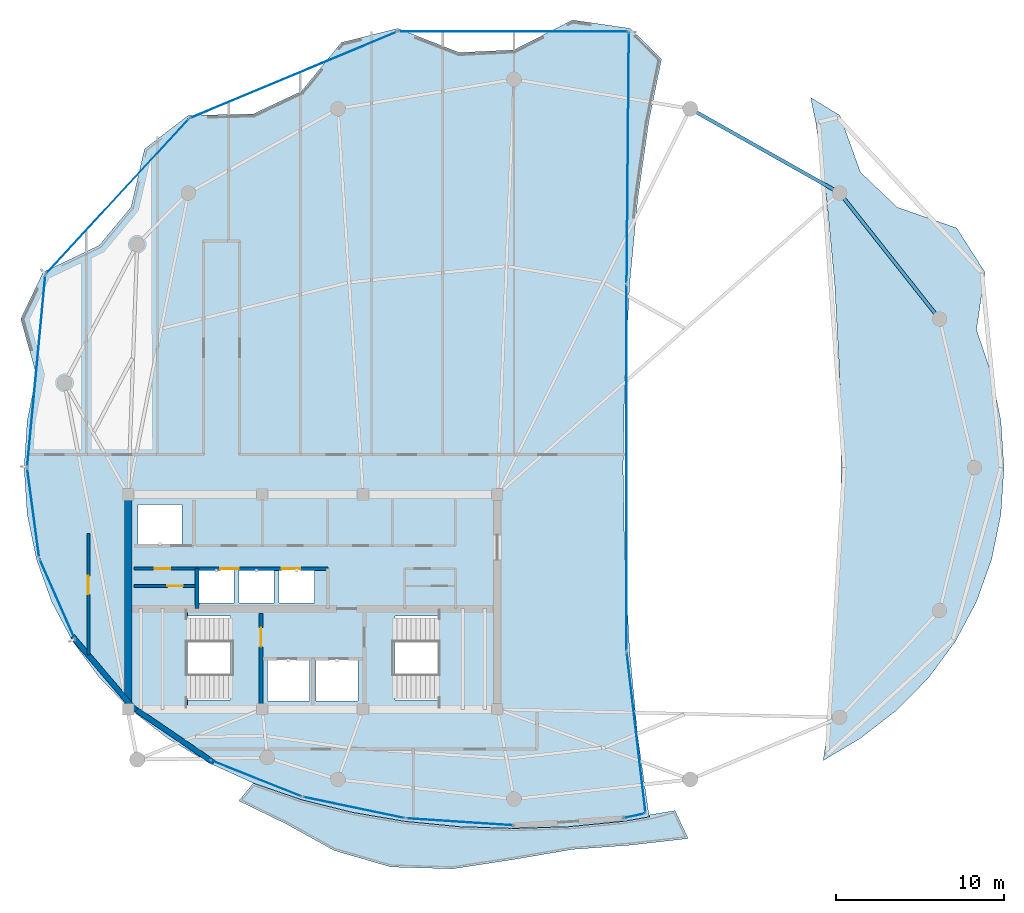
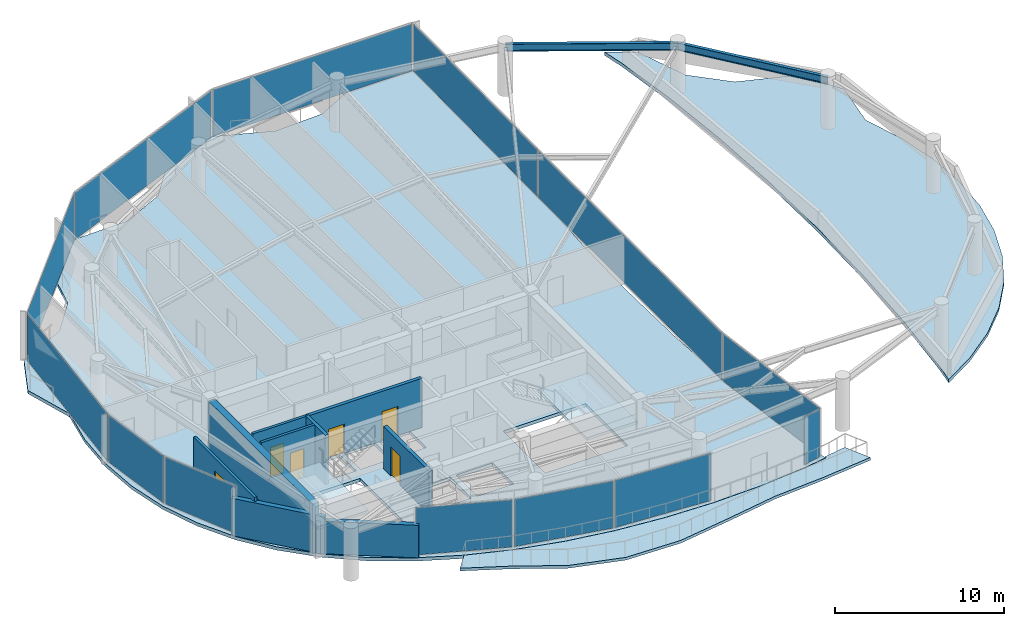
# One storey, part 18 of 23: 13 plates, 9 walls, 6 doors, 5 slabs, 2 beams, 6 openings, 15 elements without a shape of their own.
"""IFC4 building model written with IfcOpenShell, lengths in metres."""

from ifc_helpers import new_model, si_unit, direction, frame, frame_2d, origin, origin_2d, place, context, subcontext, project, spatial, polyline, rectangle, i_section, outline, extrude, material, layer, layer_set, material_profile, profile_set, type_object, element, fill, aggregate, save


model = new_model("IFC4")

# Units and contexts
model_context = context("Model", 3, precision=1e-05, world=origin(), true_north=direction((0.0, 1.0)))
body_context = subcontext(model_context, "Body", "Model", "MODEL_VIEW")
ifc_project = project(units=[si_unit("LENGTHUNIT", "METRE"), si_unit("AREAUNIT", "SQUARE_METRE"), si_unit("VOLUMEUNIT", "CUBIC_METRE"), si_unit("PLANEANGLEUNIT", "RADIAN"), si_unit("MASSUNIT", "GRAM", prefix="KILO")], contexts=[model_context])

# Site, building, storey
site_placement = place(None, origin())
site = spatial("IfcSite", under=ifc_project, at=site_placement, CompositionType="ELEMENT")
building_placement = place(site_placement, origin())
building = spatial("IfcBuilding", under=site, at=building_placement, Name="Kazevale Care Tower and Concert Hall", CompositionType="ELEMENT")
storey_placement = place(building_placement, frame((0.0, 0.0, 270.0)))
storey = spatial("IfcBuildingStorey", under=building, at=storey_placement, Name="L71", CompositionType="ELEMENT", Elevation=270.0)

# Beams
ifc_material_1 = material(Name="Steel ASTM A572 Gr 50", Category="steel")
ifc_material_profile = material_profile(ifc_material_1, i_section(OverallWidth=0.208984375, OverallDepth=0.532958984375, WebThickness=0.01025390625, FlangeThickness=0.015625, at=origin_2d()), Name="W530x92")
ifc_profile_set = profile_set([ifc_material_profile], Name="Steel ASTM A572 Gr 50")
beam_type = type_object("IfcBeamType", Name="Upper Ring Beam W530x92", PredefinedType="BEAM", material=ifc_profile_set)
beam_1_placement = place(storey_placement, frame((70.360107421875, 46.860107421875, 3.29345703125), z_axis=(-0.621008988522, 0.783803442308, 0.0), x_axis=(-0.783803442308, -0.621008988522, 0.0)))
element("IfcBeam", 1, at=beam_1_placement, inside=storey, type_object=beam_type, Name="beam:L71:ring:02", PredefinedType="BEAM", context=body_context, shape_type="SweptSolid", body=[
    extrude(i_section(OverallWidth=0.208984375, OverallDepth=0.532958984375, WebThickness=0.01025390625, FlangeThickness=0.015625, at=origin_2d()), origin(), (0.0, 0.0, 1.0), 9.58154296875),
])
beam_2_placement = place(storey_placement, frame((64.409912109375, 54.3701171875, 3.29345703125), z_axis=(-0.871243170179, 0.490851646035, 0.0), x_axis=(-0.490851646035, -0.871243170179, 0.0)))
element("IfcBeam", 2, at=beam_2_placement, inside=storey, type_object=beam_type, Name="beam:L71:ring:03", PredefinedType="BEAM", context=body_context, shape_type="SweptSolid", body=[
    extrude(i_section(OverallWidth=0.208984375, OverallDepth=0.532958984375, WebThickness=0.01025390625, FlangeThickness=0.015625, at=origin_2d()), origin(), (0.0, 0.0, 1.0), 10.2265625),
])

# Curtain wall, plate
ifc_material_2 = material(Name="Aluminium 6063-T6 and Low-E Glass", Category="aluminium")
ifc_layer_1 = layer(ifc_material_2, 0.179931640625)
ifc_layer_set_1 = layer_set([ifc_layer_1], Name="Aluminium 6063-T6 and Low-E Glass")
curtain_wall_type_1 = type_object("IfcCurtainWallType", Name="Waist & Upper Residential Curtain Wall CW-4", PredefinedType="NOTDEFINED", material=ifc_layer_set_1)
curtain_wall_1_placement = place(storey_placement, origin())
curtain_wall_1 = element("IfcCurtainWall", 3, at=curtain_wall_1_placement, inside=storey, type_object=curtain_wall_type_1, Name="cw:L71:f07", PredefinedType="NOTDEFINED")
ifc_material_3 = material(Name="Low-E Laminated Glass", Category="glass")
ifc_layer_2 = layer(ifc_material_3, 0.030029296875)
ifc_layer_set_2 = layer_set([ifc_layer_2], Name="Low-E Laminated Glass")
plate_type_1 = type_object("IfcPlateType", Name="CW-4 Low-E Glazing Panel 30mm", PredefinedType="CURTAIN_PANEL", material=ifc_layer_set_2)
plate_1_placement = place(storey_placement, frame((17.775390625, 30.175537109375, 0.080078125), z_axis=(0.0, 0.0, 1.0), x_axis=(-0.403598397488, 0.914936245618, 0.0)))
plate_1 = element("IfcPlate", 4, at=plate_1_placement, type_object=plate_type_1, Name="CW-4 panel 1.1", PredefinedType="CURTAIN_PANEL", context=body_context, shape_type="SweptSolid", body=[
    extrude(rectangle(XDim=5.139892578125, YDim=0.030029296875, at=origin_2d()), origin(), (0.0, 0.0, 1.0), 3.39990234375),
])
aggregate(curtain_wall_1, [plate_1])

curtain_wall_2_placement = place(storey_placement, origin())
curtain_wall_2 = element("IfcCurtainWall", 5, at=curtain_wall_2_placement, inside=storey, type_object=curtain_wall_type_1, Name="cw:L71:f08", PredefinedType="NOTDEFINED")
plate_2_placement = place(storey_placement, frame((16.343017578125, 35.300048828125, 0.080078125), z_axis=(0.0, 0.0, 1.0), x_axis=(-0.133245609751, 0.991083047722, 0.0)))
plate_2 = element("IfcPlate", 6, at=plate_2_placement, type_object=plate_type_1, Name="CW-4 panel 1.1", PredefinedType="CURTAIN_PANEL", context=body_context, shape_type="SweptSolid", body=[
    extrude(rectangle(XDim=5.28857421875, YDim=0.030029296875, at=origin_2d()), origin(), (0.0, 0.0, 1.0), 3.39990234375),
])
aggregate(curtain_wall_2, [plate_2])

curtain_wall_3_placement = place(storey_placement, origin())
curtain_wall_3 = element("IfcCurtainWall", 7, at=curtain_wall_3_placement, inside=storey, type_object=curtain_wall_type_1, Name="cw:L71:f09", PredefinedType="NOTDEFINED")
plate_3_placement = place(storey_placement, frame((16.52490234375, 43.757568359375, 0.080078125), z_axis=(0.0, 0.0, 1.0), x_axis=(0.094237879477, 0.995549708489, 0.0)))
plate_3 = element("IfcPlate", 8, at=plate_3_placement, type_object=plate_type_1, Name="CW-4 panel 1.1", PredefinedType="CURTAIN_PANEL", context=body_context, shape_type="SweptSolid", body=[
    extrude(rectangle(XDim=11.406494140625, YDim=0.030029296875, at=origin_2d()), origin(), (0.0, 0.0, 1.0), 3.39990234375),
])
aggregate(curtain_wall_3, [plate_3])

curtain_wall_4_placement = place(storey_placement, origin())
curtain_wall_4 = element("IfcCurtainWall", 9, at=curtain_wall_4_placement, inside=storey, type_object=curtain_wall_type_1, Name="cw:L71:f10", PredefinedType="NOTDEFINED")
plate_4_placement = place(storey_placement, frame((21.35546875, 54.16455078125, 0.080078125), z_axis=(0.0, 0.0, 1.0), x_axis=(0.677738025563, 0.735303453484, 0.0)))
plate_4 = element("IfcPlate", 10, at=plate_4_placement, type_object=plate_type_1, Name="CW-4 panel 1.1", PredefinedType="CURTAIN_PANEL", context=body_context, shape_type="SweptSolid", body=[
    extrude(rectangle(XDim=12.486572265625, YDim=0.030029296875, at=origin_2d()), origin(), (0.0, 0.0, 1.0), 3.39990234375),
])
aggregate(curtain_wall_4, [plate_4])

curtain_wall_5_placement = place(storey_placement, origin())
curtain_wall_5 = element("IfcCurtainWall", 11, at=curtain_wall_5_placement, inside=storey, type_object=curtain_wall_type_1, Name="cw:L71:f11", PredefinedType="NOTDEFINED")
plate_5_placement = place(storey_placement, frame((31.848388671875, 61.40087890625, 0.080078125), z_axis=(0.0, 0.0, 1.0), x_axis=(0.923048324588, 0.384684013802, 0.0)))
plate_5 = element("IfcPlate", 12, at=plate_5_placement, type_object=plate_type_1, Name="CW-4 panel 1.1", PredefinedType="CURTAIN_PANEL", context=body_context, shape_type="SweptSolid", body=[
    extrude(rectangle(XDim=13.2900390625, YDim=0.030029296875, at=origin_2d()), origin(), (0.0, 0.0, 1.0), 3.39990234375),
])
aggregate(curtain_wall_5, [plate_5])

curtain_wall_6_placement = place(storey_placement, origin())
curtain_wall_6 = element("IfcCurtainWall", 13, at=curtain_wall_6_placement, inside=storey, type_object=curtain_wall_type_1, Name="cw:L71:f12", PredefinedType="NOTDEFINED")
plate_6_placement = place(storey_placement, frame((44.951416015625, 63.99755859375, 0.080078125), z_axis=(0.0, 0.0, 1.0), x_axis=(0.999999050959, 0.001377708789, 0.0)))
plate_6 = element("IfcPlate", 14, at=plate_6_placement, type_object=plate_type_1, Name="CW-4 panel 1.1", PredefinedType="CURTAIN_PANEL", context=body_context, shape_type="SweptSolid", body=[
    extrude(rectangle(XDim=13.631103515625, YDim=0.030029296875, at=origin_2d()), origin(), (0.0, 0.0, 1.0), 3.39990234375),
])
aggregate(curtain_wall_6, [plate_6])

curtain_wall_7_placement = place(storey_placement, origin())
curtain_wall_7 = element("IfcCurtainWall", 15, at=curtain_wall_7_placement, inside=storey, type_object=curtain_wall_type_1, Name="cw:L71:f13", PredefinedType="NOTDEFINED")
plate_7_placement = place(storey_placement, frame((51.779541015625, 56.482421875, 0.080078125), z_axis=(0.0, 0.0, 1.0), x_axis=(-0.008970334801, -0.999959765737, 0.0)))
plate_7 = element("IfcPlate", 16, at=plate_7_placement, type_object=plate_type_1, Name="CW-4 panel 1.1", PredefinedType="CURTAIN_PANEL", context=body_context, shape_type="SweptSolid", body=[
    extrude(rectangle(XDim=14.8896484375, YDim=0.030029296875, at=origin_2d()), origin(), (0.0, 0.0, 1.0), 3.39990234375),
])
aggregate(curtain_wall_7, [plate_7])

curtain_wall_8_placement = place(storey_placement, origin())
curtain_wall_8 = element("IfcCurtainWall", 17, at=curtain_wall_8_placement, inside=storey, type_object=curtain_wall_type_1, Name="cw:L71:f14", PredefinedType="NOTDEFINED")
plate_8_placement = place(storey_placement, frame((51.7119140625, 38.0, 0.080078125), z_axis=(0.0, 0.0, 1.0), x_axis=(0.0, -1.0, 0.0)))
plate_8 = element("IfcPlate", 18, at=plate_8_placement, type_object=plate_type_1, Name="CW-4 panel 1.1", PredefinedType="CURTAIN_PANEL", context=body_context, shape_type="SweptSolid", body=[
    extrude(rectangle(XDim=21.756103515625, YDim=0.030029296875, at=origin_2d()), origin(), (0.0, 0.0, 1.0), 3.39990234375),
])
aggregate(curtain_wall_8, [plate_8])

ifc_layer_3 = layer(ifc_material_2, 0.179931640625)
ifc_layer_set_3 = layer_set([ifc_layer_3], Name="Aluminium 6063-T6 and Low-E Glass")
curtain_wall_type_2 = type_object("IfcCurtainWallType", Name="Sheltered Concave Balcony Curtain Wall CW-5", PredefinedType="NOTDEFINED", material=ifc_layer_set_3)
curtain_wall_9_placement = place(storey_placement, origin())
curtain_wall_9 = element("IfcCurtainWall", 19, at=curtain_wall_9_placement, inside=storey, type_object=curtain_wall_type_2, Name="cw:L71:f02", PredefinedType="NOTDEFINED")
ifc_layer_4 = layer(ifc_material_3, 0.02587890625)
ifc_layer_set_4 = layer_set([ifc_layer_4], Name="Low-E Laminated Glass")
plate_type_2 = type_object("IfcPlateType", Name="CW-5 Low-E Glazing Panel 26mm", PredefinedType="CURTAIN_PANEL", material=ifc_layer_set_4)
plate_9_placement = place(storey_placement, frame((41.762939453125, 16.89111328125, 0.0751953125), z_axis=(0.0, 0.0, 1.0), x_axis=(-0.997882281458, 0.065045771206, 0.0)))
plate_9 = element("IfcPlate", 20, at=plate_9_placement, type_object=plate_type_2, Name="CW-5 panel 1.1", PredefinedType="CURTAIN_PANEL", context=body_context, shape_type="SweptSolid", body=[
    extrude(rectangle(XDim=6.337646484375, YDim=0.02587890625, at=origin_2d()), origin(), (0.0, 0.0, 1.0), 3.409912109375),
])
aggregate(curtain_wall_9, [plate_9])

curtain_wall_10_placement = place(storey_placement, origin())
curtain_wall_10 = element("IfcCurtainWall", 21, at=curtain_wall_10_placement, inside=storey, type_object=curtain_wall_type_2, Name="cw:L71:f03", PredefinedType="NOTDEFINED")
plate_10_placement = place(storey_placement, frame((35.4541015625, 17.743896484375, 0.0751953125), z_axis=(0.0, 0.0, 1.0), x_axis=(-0.978852986472, 0.204564979592, 0.0)))
plate_10 = element("IfcPlate", 22, at=plate_10_placement, type_object=plate_type_2, Name="CW-5 panel 1.1", PredefinedType="CURTAIN_PANEL", context=body_context, shape_type="SweptSolid", body=[
    extrude(rectangle(XDim=6.126708984375, YDim=0.02587890625, at=origin_2d()), origin(), (0.0, 0.0, 1.0), 3.409912109375),
])
aggregate(curtain_wall_10, [plate_10])

curtain_wall_11_placement = place(storey_placement, origin())
curtain_wall_11 = element("IfcCurtainWall", 23, at=curtain_wall_11_placement, inside=storey, type_object=curtain_wall_type_2, Name="cw:L71:f04", PredefinedType="NOTDEFINED")
plate_11_placement = place(storey_placement, frame((29.6298828125, 19.48046875, 0.0751953125), z_axis=(0.0, 0.0, 1.0), x_axis=(-0.929208392028, 0.369556171894, 0.0)))
plate_11 = element("IfcPlate", 24, at=plate_11_placement, type_object=plate_type_2, Name="CW-5 panel 1.1", PredefinedType="CURTAIN_PANEL", context=body_context, shape_type="SweptSolid", body=[
    extrude(rectangle(XDim=5.7734375, YDim=0.02587890625, at=origin_2d()), origin(), (0.0, 0.0, 1.0), 3.409912109375),
])
aggregate(curtain_wall_11, [plate_11])

curtain_wall_12_placement = place(storey_placement, origin())
curtain_wall_12 = element("IfcCurtainWall", 25, at=curtain_wall_12_placement, inside=storey, type_object=curtain_wall_type_2, Name="cw:L71:f15", PredefinedType="NOTDEFINED")
plate_12_placement = place(storey_placement, frame((52.277587890625, 22.220947265625, 0.0751953125), z_axis=(0.0, 0.0, 1.0), x_axis=(0.116500580295, -0.993190623592, 0.0)))
plate_12 = element("IfcPlate", 26, at=plate_12_placement, type_object=plate_type_2, Name="CW-5 panel 1.1", PredefinedType="CURTAIN_PANEL", context=body_context, shape_type="SweptSolid", body=[
    extrude(rectangle(XDim=9.55810546875, YDim=0.02587890625, at=origin_2d()), origin(), (0.0, 0.0, 1.0), 3.409912109375),
])
aggregate(curtain_wall_12, [plate_12])

curtain_wall_13_placement = place(storey_placement, origin())
curtain_wall_13 = element("IfcCurtainWall", 27, at=curtain_wall_13_placement, inside=storey, type_object=curtain_wall_type_2, Name="cw:L71:f16", PredefinedType="NOTDEFINED")
plate_13_placement = place(storey_placement, frame((52.158447265625, 17.2509765625, 0.0751953125), z_axis=(0.0, 0.0, 1.0), x_axis=(-0.977118351767, -0.212696324933, 0.0)))
plate_13 = element("IfcPlate", 28, at=plate_13_placement, type_object=plate_type_2, Name="CW-5 panel 1.1", PredefinedType="CURTAIN_PANEL", context=body_context, shape_type="SweptSolid", body=[
    extrude(rectangle(XDim=1.2509765625, YDim=0.02587890625, at=origin_2d()), origin(), (0.0, 0.0, 1.0), 3.409912109375),
])
aggregate(curtain_wall_13, [plate_13])

# Slab
ifc_material_4 = material(Name="Concrete C40", Category="concrete")
ifc_layer_5 = layer(ifc_material_4, 0.199951171875)
ifc_layer_set_5 = layer_set([ifc_layer_5], Name="Concrete C40")
slab_type_1 = type_object("IfcSlabType", Name="Sinusoidal Concave Balcony Slab 200", PredefinedType="USERDEFINED", material=ifc_layer_set_5)
slab_1_placement = place(storey_placement, frame((0.0, 0.0, -0.199951171875)))
element("IfcSlab", 29, at=slab_1_placement, inside=storey, type_object=slab_type_1, Name="slab:L71:bal", ObjectType="BALCONY", PredefinedType="USERDEFINED", context=body_context, shape_type="SweptSolid", body=[
    extrude(outline(polyline([(54.593017578125, 17.56591796875), (55.376708984375, 15.896728515625), (51.935546875, 15.5029296875), (48.476806640625, 15.24853515625), (45.0, 14.654052734375), (41.34619140625, 14.0908203125), (37.662841796875, 14.2001953125), (34.2880859375, 15.1826171875), (31.409912109375, 16.775146484375), (28.59423828125, 18.143798828125), (29.46142578125, 19.193115234375), (29.462890625, 19.192626953125), (32.3291015625, 18.208251953125), (35.35498046875, 17.452392578125), (38.501708984375, 16.918212890625), (41.730224609375, 16.6005859375), (45.0, 16.4951171875), (48.269775390625, 16.6005859375), (51.498291015625, 16.918212890625), (53.075439453125, 17.185791015625), (53.05126953125, 17.305908203125), (54.593017578125, 17.56591796875)])), origin(), (0.0, 0.0, 1.0), 0.199951171875),
])

# Stair, slab
stair_type = type_object("IfcStairType", Name="Exit Stair Assembly ST1-U", PredefinedType="HALF_TURN_STAIR", material=ifc_material_4)
stair_1_placement = place(storey_placement, origin())
stair_1 = element("IfcStair", 30, at=stair_1_placement, inside=storey, type_object=stair_type, Name="stair:L71:ST1", PredefinedType="HALF_TURN_STAIR")
ifc_layer_6 = layer(ifc_material_4, 0.199951171875)
ifc_layer_set_6 = layer_set([ifc_layer_6], Name="Concrete C40")
slab_type_2 = type_object("IfcSlabType", Name="Stair Half-Landing Slab ST1-U", PredefinedType="LANDING", material=ifc_layer_set_6)
slab_2_placement = place(storey_placement, frame((0.0, 0.0, 1.699951171875)))
slab_2 = element("IfcSlab", 31, at=slab_2_placement, type_object=slab_type_2, Name="ST1-U landing 1", PredefinedType="LANDING", context=body_context, shape_type="SweptSolid", body=[
    extrude(outline(polyline([(22.050048828125, 23.699951171875), (25.530029296875, 23.699951171875), (25.530029296875, 29.5), (22.050048828125, 29.5), (22.050048828125, 23.699951171875)])), origin(), (0.0, 0.0, 1.0), 0.199951171875),
])
aggregate(stair_1, [slab_2])

stair_2_placement = place(storey_placement, origin())
stair_2 = element("IfcStair", 32, at=stair_2_placement, inside=storey, type_object=stair_type, Name="stair:L71:ST2", PredefinedType="HALF_TURN_STAIR")
slab_3_placement = place(storey_placement, frame((0.0, 0.0, 1.699951171875)))
slab_3 = element("IfcSlab", 33, at=slab_3_placement, type_object=slab_type_2, Name="ST1-U landing 1", PredefinedType="LANDING", context=body_context, shape_type="SweptSolid", body=[
    extrude(outline(polyline([(40.469970703125, 23.699951171875), (43.949951171875, 23.699951171875), (43.949951171875, 29.5), (40.469970703125, 29.5), (40.469970703125, 23.699951171875)])), origin(), (0.0, 0.0, 1.0), 0.199951171875),
])
aggregate(stair_2, [slab_3])

# Slabs
ifc_layer_7 = layer(ifc_material_4, 0.239990234375)
ifc_layer_set_7 = layer_set([ifc_layer_7], Name="Concrete C40")
slab_type_3 = type_object("IfcSlabType", Name="Tower Typical Floor Slab 240", PredefinedType="FLOOR", material=ifc_layer_set_7)
slab_4_placement = place(storey_placement, frame((0.0, 0.0, -0.239990234375)))
element("IfcSlab", 34, at=slab_4_placement, inside=storey, type_object=slab_type_3, Name="slab:L71:tw:1", PredefinedType="FLOOR", context=body_context, shape_type="SweptSolid", body=[
    extrude(outline(polyline([(51.49755859375, 16.92333984375), (48.269287109375, 16.60546875), (45.0, 16.5), (41.730712890625, 16.60546875), (38.50244140625, 16.92333984375), (35.35595703125, 17.457275390625), (32.33056640625, 18.212890625), (29.464599609375, 19.197265625), (26.794189453125, 20.415771484375), (24.3525390625, 21.873046875), (22.17041015625, 23.569091796875), (20.275634765625, 25.5), (18.691650390625, 27.654541015625), (17.438720703125, 30.01416015625), (16.531982421875, 32.551513671875), (15.983642578125, 35.229736328125), (15.800048828125, 38.0), (15.983642578125, 40.787841796875), (16.531982421875, 43.540771484375), (15.597900390625, 46.867919921875), (16.934814453125, 49.64990234375), (20.275634765625, 51.24755859375), (22.17041015625, 53.52490234375), (22.9736328125, 56.98583984375), (25.578369140625, 58.9921875), (29.464599609375, 59.08349609375), (32.33056640625, 60.43408203125), (34.7119140625, 63.34326171875), (38.068603515625, 64.1767578125), (41.730712890625, 62.743408203125), (45.0, 62.89990234375), (48.48779296875, 64.68115234375), (51.931396484375, 64.1767578125), (53.7880859375, 62.3466796875), (53.020751953125, 58.569091796875), (52.370849609375, 54.0), (51.89208984375, 48.944580078125), (51.5986328125, 43.556640625), (51.5, 38.0), (51.5986328125, 32.443359375), (51.89208984375, 27.055419921875), (52.370849609375, 22.0), (53.020751953125, 17.430908203125), (53.069580078125, 17.18994140625), (51.49755859375, 16.92333984375)]), holes=[polyline([(22.449951171875, 24.14990234375), (28.110107421875, 24.14990234375), (28.110107421875, 29.14990234375), (22.449951171875, 29.14990234375), (22.449951171875, 24.14990234375)]), polyline([(37.889892578125, 24.14990234375), (43.550048828125, 24.14990234375), (43.550048828125, 29.14990234375), (37.889892578125, 29.14990234375), (37.889892578125, 24.14990234375)]), polyline([(30.300048828125, 24.10009765625), (32.800048828125, 24.10009765625), (32.800048828125, 26.60009765625), (30.300048828125, 26.60009765625), (30.300048828125, 24.10009765625)]), polyline([(33.199951171875, 24.10009765625), (35.699951171875, 24.10009765625), (35.699951171875, 26.60009765625), (33.199951171875, 26.60009765625), (33.199951171875, 24.10009765625)]), polyline([(22.60009765625, 33.39990234375), (25.199951171875, 33.39990234375), (25.199951171875, 35.800048828125), (22.60009765625, 35.800048828125), (22.60009765625, 33.39990234375)]), polyline([(26.199951171875, 29.949951171875), (28.300048828125, 29.949951171875), (28.300048828125, 31.949951171875), (26.199951171875, 31.949951171875), (26.199951171875, 29.949951171875)]), polyline([(28.60009765625, 29.949951171875), (30.699951171875, 29.949951171875), (30.699951171875, 31.949951171875), (28.60009765625, 31.949951171875), (28.60009765625, 29.949951171875)]), polyline([(31.0, 29.949951171875), (33.10009765625, 29.949951171875), (33.10009765625, 31.949951171875), (31.0, 31.949951171875), (31.0, 29.949951171875)])]), origin(), (0.0, 0.0, 1.0), 0.239990234375),
])
slab_5_placement = place(storey_placement, frame((0.0, 0.0, -0.239990234375)))
element("IfcSlab", 35, at=slab_5_placement, inside=storey, type_object=slab_type_3, Name="slab:L71:tw:2", PredefinedType="FLOOR", context=body_context, shape_type="SweptSolid", body=[
    extrude(outline(polyline([(64.421630859375, 58.9921875), (65.6474609375, 55.60693359375), (67.82958984375, 53.52490234375), (71.37548828125, 52.28515625), (73.065185546875, 49.64990234375), (72.561279296875, 46.223876953125), (73.468017578125, 43.540771484375), (74.016357421875, 40.787841796875), (74.199951171875, 38.0), (74.016357421875, 35.229736328125), (73.468017578125, 32.551513671875), (72.561279296875, 30.01416015625), (71.308349609375, 27.654541015625), (69.724365234375, 25.5), (67.82958984375, 23.569091796875), (65.6474609375, 21.873046875), (63.422119140625, 20.544921875), (63.629150390625, 22.0), (64.10791015625, 27.055419921875), (64.4013671875, 32.443359375), (64.5, 38.0), (64.4013671875, 43.556640625), (64.10791015625, 48.944580078125), (63.629150390625, 54.0), (62.979248046875, 58.569091796875), (62.676513671875, 60.0595703125), (64.421630859375, 58.9921875)])), origin(), (0.0, 0.0, 1.0), 0.239990234375),
])

# Walls
ifc_material_5 = material(Name="Concrete C50", Category="concrete")
ifc_layer_8 = layer(ifc_material_5, 0.449951171875)
ifc_layer_set_8 = layer_set([ifc_layer_8], Name="Concrete C50")
wall_type_1 = type_object("IfcWallType", Name="Core Shear Wall 450 C50", PredefinedType="SHEAR", material=ifc_layer_set_8)
wall_1_placement = place(storey_placement, frame((22.0, 23.824951171875, 0.0), z_axis=(0.0, 0.0, 1.0), x_axis=(0.0, 1.0, 0.0)))
element("IfcWall", 36, at=wall_1_placement, inside=storey, type_object=wall_type_1, Name="wall:L71:core:W", PredefinedType="SHEAR", context=body_context, shape_type="SweptSolid", body=[
    extrude(rectangle(XDim=12.35009765625, YDim=0.449951171875, at=frame_2d((6.175048828125, 0.0))), origin(), (0.0, 0.0, 1.0), 3.56005859375),
])
ifc_layer_9 = layer(ifc_material_4, 0.219970703125)
ifc_layer_set_9 = layer_set([ifc_layer_9], Name="Concrete C40")
wall_type_2 = type_object("IfcWallType", Name="Elevator Hoistway Shaft Wall 220", PredefinedType="SOLIDWALL", material=ifc_layer_set_9)
wall_2_placement = place(storey_placement, frame((26.10009765625, 29.6201171875, 0.0), z_axis=(0.0, 0.0, 1.0), x_axis=(0.0, 1.0, 0.0)))
element("IfcWall", 37, at=wall_2_placement, inside=storey, type_object=wall_type_2, Name="wall:L71:c_ph_w", PredefinedType="SOLIDWALL", context=body_context, shape_type="SweptSolid", body=[
    extrude(rectangle(XDim=2.35986328125, YDim=0.219970703125, at=frame_2d((1.179931640625, 0.0))), origin(), (0.0, 0.0, 1.0), 3.56005859375),
])

# Wall, openings, doors
wall_3_placement = place(storey_placement, frame((26.10009765625, 31.97998046875, 0.0), z_axis=(0.0, 0.0, 1.0), x_axis=(1.0, 0.0, 0.0)))
wall_3 = element("IfcWall", 38, at=wall_3_placement, inside=storey, type_object=wall_type_2, Name="wall:L71:c_ph_n", PredefinedType="SOLIDWALL", context=body_context, shape_type="SweptSolid", body=[
    extrude(rectangle(XDim=7.7998046875, YDim=0.219970703125, at=frame_2d((3.89990234375, 0.0))), origin(), (0.0, 0.0, 1.0), 3.56005859375),
])
opening_1_placement = place(wall_3_placement, frame((1.39990234375, 0.0, 0.0)))
opening_1 = element("IfcOpeningElement", 39, at=opening_1_placement, cuts=wall_3, Name="Opening LD-PAX", PredefinedType="OPENING", context=body_context, shape_type="SweptSolid", body=[
    extrude(rectangle(XDim=1.10009765625, YDim=2.10009765625, at=frame_2d((0.550048828125, 1.050048828125))), frame((0.0, 0.119873046875, 0.0), z_axis=(0.0, -1.0, 0.0), x_axis=(1.0, 0.0, 0.0)), (0.0, 0.0, 1.0), 0.239990234375),
])
opening_2_placement = place(wall_3_placement, frame((5.06591796875, 0.0, 0.0)))
opening_2 = element("IfcOpeningElement", 40, at=opening_2_placement, cuts=wall_3, Name="Opening LD-PAX", PredefinedType="OPENING", context=body_context, shape_type="SweptSolid", body=[
    extrude(rectangle(XDim=1.10009765625, YDim=2.10009765625, at=frame_2d((0.550048828125, 1.050048828125))), frame((0.0, 0.119873046875, 0.0), z_axis=(0.0, -1.0, 0.0), x_axis=(1.0, 0.0, 0.0)), (0.0, 0.0, 1.0), 0.239990234375),
])
ifc_material_6 = material(Name="Stainless Steel 316", Category="steel")
door_type_1 = type_object("IfcDoorType", Name="Passenger Lift Sliding Landing Door 1100x2100", OperationType="NOTDEFINED", PredefinedType="DOOR", material=ifc_material_6)
door_1_placement = place(opening_1_placement, origin())
door_1 = element("IfcDoor", 41, at=door_1_placement, inside=storey, type_object=door_type_1, Name="door:L71:ld_ph1", OperationType="SLIDING_TO_LEFT", OverallHeight=2.10009765625, OverallWidth=1.10009765625, PredefinedType="DOOR", context=body_context, shape_type="SweptSolid", body=[
    extrude(rectangle(XDim=1.10009765625, YDim=2.10009765625, at=frame_2d((0.550048828125, 1.050048828125))), frame((0.0, 0.02490234375, 0.0), z_axis=(0.0, -1.0, 0.0), x_axis=(1.0, 0.0, 0.0)), (0.0, 0.0, 1.0), 0.050048828125),
])
fill(opening_1, door_1)
door_2_placement = place(opening_2_placement, origin())
door_2 = element("IfcDoor", 42, at=door_2_placement, inside=storey, type_object=door_type_1, Name="door:L71:ld_ph2", OperationType="SLIDING_TO_RIGHT", OverallHeight=2.10009765625, OverallWidth=1.10009765625, PredefinedType="DOOR", context=body_context, shape_type="SweptSolid", body=[
    extrude(rectangle(XDim=1.10009765625, YDim=2.10009765625, at=frame_2d((0.550048828125, 1.050048828125))), frame((0.0, 0.02490234375, 0.0), z_axis=(0.0, -1.0, 0.0), x_axis=(1.0, 0.0, 0.0)), (0.0, 0.0, 1.0), 0.050048828125),
])
fill(opening_2, door_2)

# Wall, opening, door
ifc_material_7 = material(Name="Concrete C40 and Acoustic Gypsum", Category="concrete")
ifc_layer_10 = layer(ifc_material_7, 0.179931640625)
ifc_layer_set_10 = layer_set([ifc_layer_10], Name="Concrete C40 and Acoustic Gypsum")
wall_type_3 = type_object("IfcWallType", Name="Fire-Rated Corridor & Party Wall 180", PredefinedType="PARTITIONING", material=ifc_layer_set_10)
wall_4_placement = place(storey_placement, frame((22.35009765625, 30.949951171875, 0.0), z_axis=(0.0, 0.0, 1.0), x_axis=(1.0, 0.0, 0.0)))
wall_4 = element("IfcWall", 43, at=wall_4_placement, inside=storey, type_object=wall_type_3, Name="wall:L71:kc_wm", PredefinedType="PARTITIONING", context=body_context, shape_type="SweptSolid", body=[
    extrude(rectangle(XDim=3.75, YDim=0.179931640625, at=frame_2d((1.875, 0.0))), origin(), (0.0, 0.0, 1.0), 3.56005859375),
])
opening_3_placement = place(wall_4_placement, frame((1.988037109375, 0.0, 0.0)))
opening_3 = element("IfcOpeningElement", 44, at=opening_3_placement, cuts=wall_4, Name="Opening ID-900", PredefinedType="OPENING", context=body_context, shape_type="SweptSolid", body=[
    extrude(rectangle(XDim=0.919921875, YDim=2.10009765625, at=frame_2d((0.4599609375, 1.050048828125))), frame((0.0, 0.099853515625, 0.0), z_axis=(0.0, -1.0, 0.0), x_axis=(1.0, 0.0, 0.0)), (0.0, 0.0, 1.0), 0.199951171875),
])
ifc_material_8 = material(Name="Oak Timber Fire Leaf", Category="wood")
door_type_2 = type_object("IfcDoorType", Name="Bathroom & Service Door 920x2100", OperationType="NOTDEFINED", PredefinedType="DOOR", material=ifc_material_8)
door_3_placement = place(opening_3_placement, origin())
door_3 = element("IfcDoor", 45, at=door_3_placement, inside=storey, type_object=door_type_2, Name="door:L71:d_kcwb", OperationType="SINGLE_SWING_RIGHT", OverallHeight=2.10009765625, OverallWidth=0.919921875, PredefinedType="DOOR", context=body_context, shape_type="SweptSolid", body=[
    extrude(rectangle(XDim=0.919921875, YDim=2.10009765625, at=frame_2d((0.4599609375, 1.050048828125))), frame((0.0, 0.02490234375, 0.0), z_axis=(0.0, -1.0, 0.0), x_axis=(1.0, 0.0, 0.0)), (0.0, 0.0, 1.0), 0.050048828125),
])
fill(opening_3, door_3)

wall_5_placement = place(storey_placement, frame((22.35009765625, 31.97998046875, 0.0), z_axis=(0.0, 0.0, 1.0), x_axis=(1.0, 0.0, 0.0)))
wall_5 = element("IfcWall", 46, at=wall_5_placement, inside=storey, type_object=wall_type_3, Name="wall:L71:kc_wn", PredefinedType="PARTITIONING", context=body_context, shape_type="SweptSolid", body=[
    extrude(rectangle(XDim=3.75, YDim=0.179931640625, at=frame_2d((1.875, 0.0))), origin(), (0.0, 0.0, 1.0), 3.56005859375),
])
opening_4_placement = place(wall_5_placement, frame((1.238037109375, 0.0, 0.0)))
opening_4 = element("IfcOpeningElement", 47, at=opening_4_placement, cuts=wall_5, Name="Opening ID-900", PredefinedType="OPENING", context=body_context, shape_type="SweptSolid", body=[
    extrude(rectangle(XDim=0.919921875, YDim=2.10009765625, at=frame_2d((0.4599609375, 1.050048828125))), frame((0.0, 0.099853515625, 0.0), z_axis=(0.0, -1.0, 0.0), x_axis=(1.0, 0.0, 0.0)), (0.0, 0.0, 1.0), 0.199951171875),
])
door_4_placement = place(opening_4_placement, origin())
door_4 = element("IfcDoor", 48, at=door_4_placement, inside=storey, type_object=door_type_2, Name="door:L71:d_kcwt", OperationType="SINGLE_SWING_LEFT", OverallHeight=2.10009765625, OverallWidth=0.919921875, PredefinedType="DOOR", context=body_context, shape_type="SweptSolid", body=[
    extrude(rectangle(XDim=0.919921875, YDim=2.10009765625, at=frame_2d((0.4599609375, 1.050048828125))), frame((0.0, 0.02490234375, 0.0), z_axis=(0.0, -1.0, 0.0), x_axis=(1.0, 0.0, 0.0)), (0.0, 0.0, 1.0), 0.050048828125),
])
fill(opening_4, door_4)

wall_6_placement = place(storey_placement, frame((19.625, 26.8447265625, 0.0), z_axis=(0.0, 0.0, 1.0), x_axis=(0.0, 1.0, 0.0)))
wall_6 = element("IfcWall", 49, at=wall_6_placement, inside=storey, type_object=wall_type_3, Name="wall:L71:auto_016", PredefinedType="PARTITIONING", context=body_context, shape_type="SweptSolid", body=[
    extrude(rectangle(XDim=7.22021484375, YDim=0.179931640625, at=frame_2d((3.610107421875, 0.0))), origin(), (0.0, 0.0, 1.0), 3.01708984375),
])
opening_5_placement = place(wall_6_placement, frame((3.60498046875, 0.0, 0.0)))
opening_5 = element("IfcOpeningElement", 50, at=opening_5_placement, cuts=wall_6, Name="Opening ID-1100", PredefinedType="OPENING", context=body_context, shape_type="SweptSolid", body=[
    extrude(rectangle(XDim=1.10009765625, YDim=2.10009765625, at=frame_2d((0.550048828125, 1.050048828125))), frame((0.0, 0.099853515625, 0.0), z_axis=(0.0, -1.0, 0.0), x_axis=(1.0, 0.0, 0.0)), (0.0, 0.0, 1.0), 0.199951171875),
])
door_type_3 = type_object("IfcDoorType", Name="Care Bedroom Accessible Door 1100x2100", OperationType="NOTDEFINED", PredefinedType="DOOR", material=ifc_material_8)
door_5_placement = place(opening_5_placement, origin())
door_5 = element("IfcDoor", 51, at=door_5_placement, inside=storey, type_object=door_type_3, Name="door:L71:ad_016", OperationType="SINGLE_SWING_LEFT", OverallHeight=2.10009765625, OverallWidth=1.10009765625, PredefinedType="DOOR", context=body_context, shape_type="SweptSolid", body=[
    extrude(rectangle(XDim=1.10009765625, YDim=2.10009765625, at=frame_2d((0.550048828125, 1.050048828125))), frame((0.0, 0.02490234375, 0.0), z_axis=(0.0, -1.0, 0.0), x_axis=(1.0, 0.0, 0.0)), (0.0, 0.0, 1.0), 0.050048828125),
])
fill(opening_5, door_5)

ifc_layer_11 = layer(ifc_material_4, 0.25)
ifc_layer_set_11 = layer_set([ifc_layer_11], Name="Concrete C40")
wall_type_4 = type_object("IfcWallType", Name="Pressurized Stair Shaft Wall 250", PredefinedType="SOLIDWALL", material=ifc_layer_set_11)
wall_7_placement = place(storey_placement, frame((29.919921875, 23.89990234375, 0.0), z_axis=(0.0, 0.0, 1.0), x_axis=(0.0, 1.0, 0.0)))
wall_7 = element("IfcWall", 52, at=wall_7_placement, inside=storey, type_object=wall_type_4, Name="wall:L71:c_st1_e", PredefinedType="SOLIDWALL", context=body_context, shape_type="SweptSolid", body=[
    extrude(rectangle(XDim=5.400146484375, YDim=0.25, at=frame_2d((2.7001953125, 0.0))), origin(), (0.0, 0.0, 1.0), 3.090087890625),
])
opening_6_placement = place(wall_7_placement, frame((3.4208984375, 0.0, 0.0)))
opening_6 = element("IfcOpeningElement", 53, at=opening_6_placement, cuts=wall_7, Name="Opening FD-90", PredefinedType="OPENING", context=body_context, shape_type="SweptSolid", body=[
    extrude(rectangle(XDim=1.14990234375, YDim=2.10009765625, at=frame_2d((0.574951171875, 1.050048828125))), frame((0.0, 0.135009765625, 0.0), z_axis=(0.0, -1.0, 0.0), x_axis=(1.0, 0.0, 0.0)), (0.0, 0.0, 1.0), 0.27001953125),
])
door_type_4 = type_object("IfcDoorType", Name="Pressurized Stair & Lobby Fire Door 1150x2100", OperationType="NOTDEFINED", PredefinedType="DOOR", material=ifc_material_1)
door_6_placement = place(opening_6_placement, origin())
door_6 = element("IfcDoor", 54, at=door_6_placement, inside=storey, type_object=door_type_4, Name="door:L71:st1", OperationType="SINGLE_SWING_RIGHT", OverallHeight=2.10009765625, OverallWidth=1.14990234375, PredefinedType="DOOR", context=body_context, shape_type="SweptSolid", body=[
    extrude(rectangle(XDim=1.14990234375, YDim=2.10009765625, at=frame_2d((0.574951171875, 1.050048828125))), frame((0.0, 0.02490234375, 0.0), z_axis=(0.0, -1.0, 0.0), x_axis=(1.0, 0.0, 0.0)), (0.0, 0.0, 1.0), 0.050048828125),
])
fill(opening_6, door_6)

# Walls
ifc_material_9 = material(Name="Concrete C40 with Honed Limestone Cladding", Category="masonry")
ifc_layer_12 = layer(ifc_material_9, 0.320068359375)
ifc_layer_set_12 = layer_set([ifc_layer_12], Name="Concrete C40 with Honed Limestone Cladding")
wall_type_5 = type_object("IfcWallType", Name="Tower Honed Limestone Spandrel Wall 320", PredefinedType="STANDARD", material=ifc_layer_set_12)
wall_8_placement = place(storey_placement, frame((27.093017578125, 20.427978515625, 0.0), z_axis=(0.0, 0.0, 1.0), x_axis=(-0.826047009588, 0.563601222454, 0.0)))
element("IfcWall", 55, at=wall_8_placement, inside=storey, type_object=wall_type_5, Name="wall:cw:L71:f05", PredefinedType="STANDARD", context=body_context, shape_type="SweptSolid", body=[
    extrude(rectangle(XDim=6.07373046875, YDim=0.320068359375, at=frame_2d((3.036865234375, 0.0))), origin(), (0.0, 0.0, 1.0), 2.35009765625),
])
wall_9_placement = place(storey_placement, frame((22.4599609375, 23.506103515625, 0.0), z_axis=(0.0, 0.0, 1.0), x_axis=(-0.648393724369, 0.761305180725, 0.0)))
element("IfcWall", 56, at=wall_9_placement, inside=storey, type_object=wall_type_5, Name="wall:cw:L71:f06", PredefinedType="STANDARD", context=body_context, shape_type="SweptSolid", body=[
    extrude(rectangle(XDim=5.8359375, YDim=0.320068359375, at=frame_2d((2.91796875, 0.0))), origin(), (0.0, 0.0, 1.0), 2.699951171875),
])

save(model, "model.ifc")
